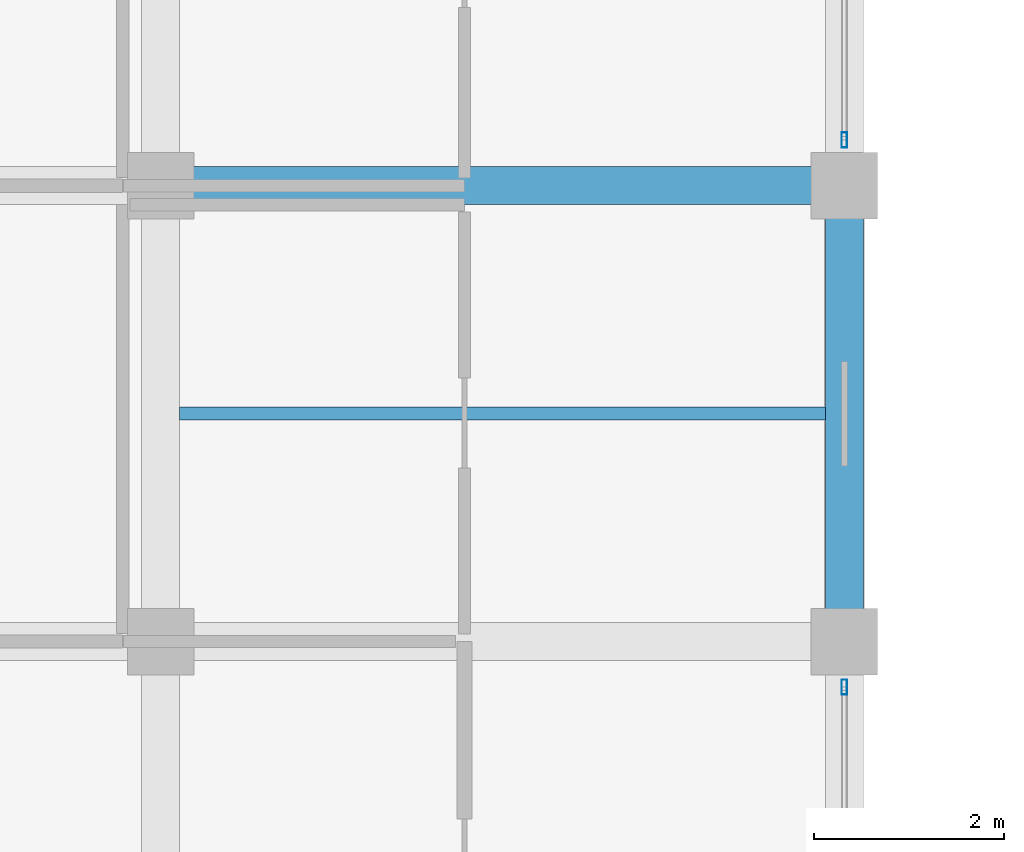
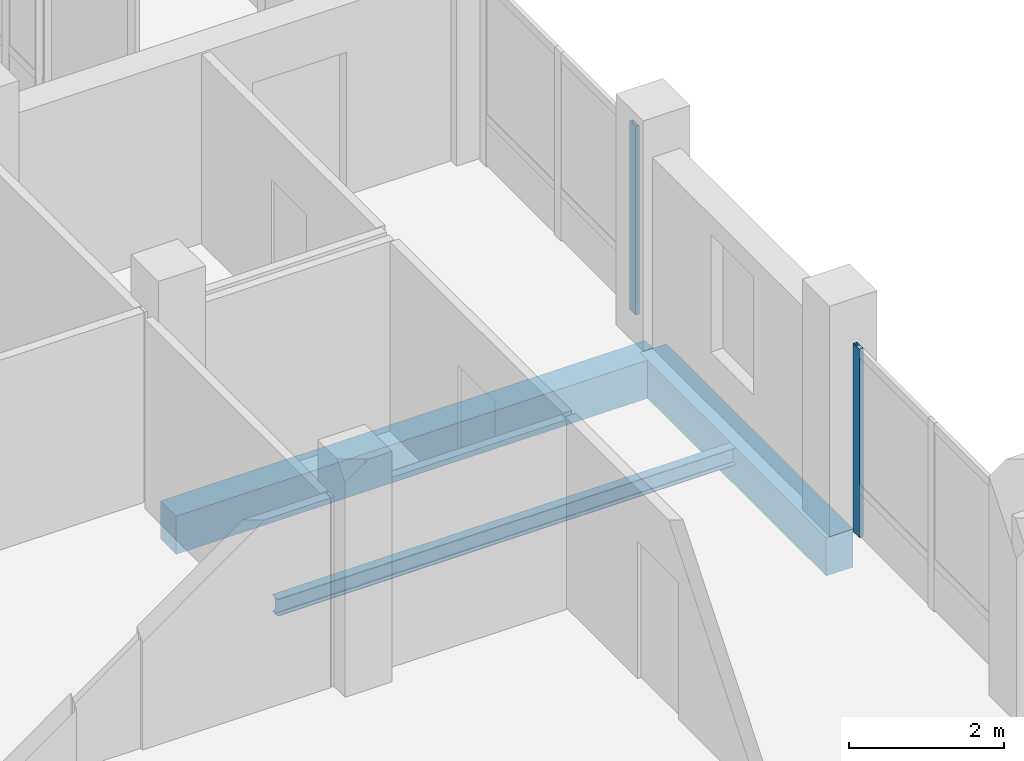
# One storey, part 29 of 128: 3 beams, 2 members, 2 elements without a shape of their own.
"""IFC4 building model written with IfcOpenShell, lengths in metres."""

from ifc_helpers import new_model, si_unit, direction, frame, origin, origin_2d, place, context, subcontext, project, spatial, rectangle, hollow_rectangle, i_section, extrude, material, material_profile, profile_set, type_object, element, aggregate, save


model = new_model("IFC4")

# Units and contexts
model_context = context("Model", 3, precision=1e-05, world=origin(), true_north=direction((0.0, 1.0)))
body_context = subcontext(model_context, "Body", "Model", "MODEL_VIEW")
ifc_project = project(units=[si_unit("LENGTHUNIT", "METRE"), si_unit("AREAUNIT", "SQUARE_METRE"), si_unit("VOLUMEUNIT", "CUBIC_METRE"), si_unit("PLANEANGLEUNIT", "RADIAN"), si_unit("MASSUNIT", "GRAM", prefix="KILO")], contexts=[model_context])

# Site, building, storey
site_placement = place(None, origin())
site = spatial("IfcSite", under=ifc_project, at=site_placement, CompositionType="ELEMENT")
building_placement = place(site_placement, origin())
building = spatial("IfcBuilding", under=site, at=building_placement, Name="Zornivar Specialist Clinic", CompositionType="ELEMENT")
storey_placement = place(building_placement, frame((0.0, 0.0, 4.5)))
storey = spatial("IfcBuildingStorey", under=building, at=storey_placement, Name="L01", CompositionType="ELEMENT", Elevation=4.5)

# Beams
ifc_material_1 = material(Name="Concrete C30/37", Category="concrete")
ifc_material_profile_1 = material_profile(ifc_material_1, rectangle(XDim=0.39990234375, YDim=0.60009765625, at=origin_2d()), Name="RC 400x600")
ifc_profile_set_1 = profile_set([ifc_material_profile_1], Name="Concrete C30/37")
beam_type_1 = type_object("IfcBeamType", Name="BM-RC-400x600", PredefinedType="BEAM", material=ifc_profile_set_1)
beam_1_placement = place(storey_placement, frame((7.199951171875, 52.800048828125, -0.580078125), z_axis=(1.0, 0.0, 0.0), x_axis=(0.0, 1.0, 0.0)))
element("IfcBeam", 1, at=beam_1_placement, inside=storey, type_object=beam_type_1, Name="bm:V2:L01:x:528:1", PredefinedType="BEAM", context=body_context, shape_type="SweptSolid", body=[
    extrude(rectangle(XDim=0.39990234375, YDim=0.60009765625, at=origin_2d()), origin(), (0.0, 0.0, 1.0), 7.199951171875),
])
beam_2_placement = place(storey_placement, frame((14.39990234375, 48.0, -0.580078125), z_axis=(0.0, 1.0, 0.0), x_axis=(-1.0, 0.0, 0.0)))
element("IfcBeam", 2, at=beam_2_placement, inside=storey, type_object=beam_type_1, Name="bm:V2:L01:y:144:7", PredefinedType="BEAM", context=body_context, shape_type="SweptSolid", body=[
    extrude(rectangle(XDim=0.39990234375, YDim=0.60009765625, at=origin_2d()), origin(), (0.0, 0.0, 1.0), 4.800048828125),
])
ifc_material_2 = material(Name="Steel S355J2", Category="steel")
ifc_material_profile_2 = material_profile(ifc_material_2, i_section(OverallWidth=0.135009765625, OverallDepth=0.27001953125, WebThickness=0.006591796875, FlangeThickness=0.01025390625, FilletRadius=0.014892578125, at=origin_2d()), Name="IPE 270")
ifc_profile_set_2 = profile_set([ifc_material_profile_2], Name="Steel S355J2")
beam_type_2 = type_object("IfcBeamType", Name="BM-STL-IPE270", PredefinedType="JOIST", material=ifc_profile_set_2)
beam_3_placement = place(storey_placement, frame((7.39990234375, 50.39990234375, -0.4150390625), z_axis=(1.0, 0.0, 0.0), x_axis=(0.0, 1.0, 0.0)))
element("IfcBeam", 3, at=beam_3_placement, inside=storey, type_object=beam_type_2, Name="bm:V2:L01:joist:4", PredefinedType="JOIST", context=body_context, shape_type="SweptSolid", body=[
    extrude(i_section(OverallWidth=0.135009765625, OverallDepth=0.27001953125, WebThickness=0.006591796875, FlangeThickness=0.01025390625, FilletRadius=0.014892578125, at=origin_2d()), origin(), (0.0, 0.0, 1.0), 6.800048828125),
])

# Curtain wall, member
ifc_material_3 = material(Name="Aluminium and Low-E Glass Curtain Wall", Category="aluminium")
curtain_wall_type = type_object("IfcCurtainWallType", Name="CW-REVAK-COURT", PredefinedType="NOTDEFINED", material=ifc_material_3)
curtain_wall_1_placement = place(storey_placement, origin())
curtain_wall_1 = element("IfcCurtainWall", 4, at=curtain_wall_1_placement, inside=storey, type_object=curtain_wall_type, Name="cw:V2:L01:18", PredefinedType="NOTDEFINED")
ifc_material_4 = material(Name="Aluminium AW-6060", Category="aluminium")
ifc_material_profile_3 = material_profile(ifc_material_4, hollow_rectangle(XDim=0.06005859375, YDim=0.159912109375, WallThickness=0.00390625, at=origin_2d()), Name="ALU 60x160x4")
ifc_profile_set_3 = profile_set([ifc_material_profile_3], Name="Aluminium AW-6060")
member_type = type_object("IfcMemberType", Name="CWM-MUL-160", PredefinedType="MULLION", material=ifc_profile_set_3)
member_1_placement = place(storey_placement, frame((14.39990234375, 47.52001953125, 0.0), z_axis=(0.0, 0.0, 1.0), x_axis=(1.0, 0.0, 0.0)))
member_1 = element("IfcMember", 5, at=member_1_placement, type_object=member_type, Name="cw:V2:L01:18:mul:2", PredefinedType="MULLION", context=body_context, shape_type="SweptSolid", body=[
    extrude(hollow_rectangle(XDim=0.06005859375, YDim=0.159912109375, WallThickness=0.00390625, at=origin_2d()), origin(), (0.0, 0.0, 1.0), 2.9599609375),
])
aggregate(curtain_wall_1, [member_1])

curtain_wall_2_placement = place(storey_placement, origin())
curtain_wall_2 = element("IfcCurtainWall", 6, at=curtain_wall_2_placement, inside=storey, type_object=curtain_wall_type, Name="cw:V2:L01:20", PredefinedType="NOTDEFINED")
member_2_placement = place(storey_placement, frame((14.39990234375, 53.280029296875, 0.0), z_axis=(0.0, 0.0, 1.0), x_axis=(1.0, 0.0, 0.0)))
member_2 = element("IfcMember", 7, at=member_2_placement, type_object=member_type, Name="cw:V2:L01:20:mul:0", PredefinedType="MULLION", context=body_context, shape_type="SweptSolid", body=[
    extrude(hollow_rectangle(XDim=0.06005859375, YDim=0.159912109375, WallThickness=0.00390625, at=origin_2d()), origin(), (0.0, 0.0, 1.0), 2.9599609375),
])
aggregate(curtain_wall_2, [member_2])

save(model, "model.ifc")
